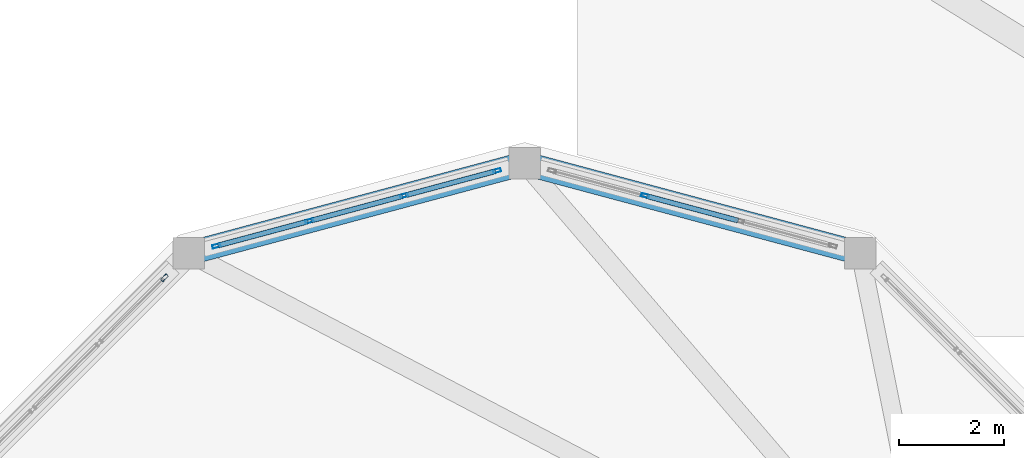
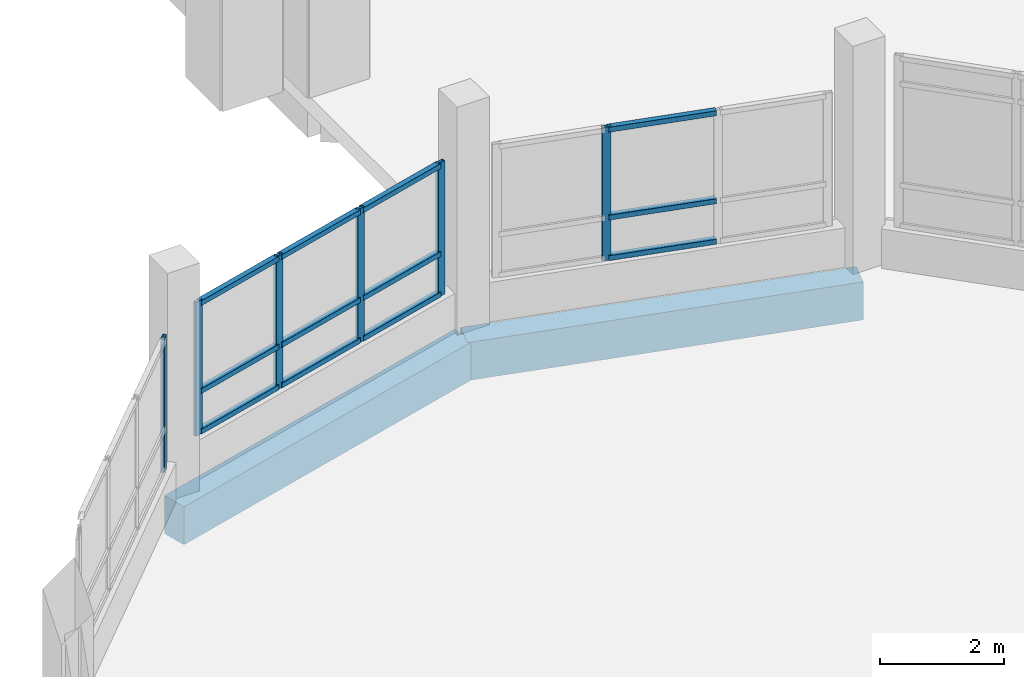
# One storey, part 42 of 129: 18 members, 2 beams, 3 elements without a shape of their own.
"""IFC4 building model written with IfcOpenShell, lengths in metres."""

from ifc_helpers import new_model, si_unit, direction, frame, origin, origin_2d, place, context, subcontext, project, spatial, rectangle, hollow_rectangle, extrude, material, layer, layer_set, material_profile, profile_set, type_object, element, aggregate, save


model = new_model("IFC4")

# Units and contexts
model_context = context("Model", 3, precision=1e-05, world=origin(), true_north=direction((0.0, 1.0)))
body_context = subcontext(model_context, "Body", "Model", "MODEL_VIEW")
ifc_project = project(units=[si_unit("LENGTHUNIT", "METRE"), si_unit("AREAUNIT", "SQUARE_METRE"), si_unit("VOLUMEUNIT", "CUBIC_METRE"), si_unit("PLANEANGLEUNIT", "RADIAN"), si_unit("MASSUNIT", "GRAM", prefix="KILO")], contexts=[model_context])

# Site, building, storey
site_placement = place(None, origin())
site = spatial("IfcSite", under=ifc_project, at=site_placement, CompositionType="ELEMENT")
building_placement = place(site_placement, origin())
building = spatial("IfcBuilding", under=site, at=building_placement, Name="Vespera Passage Community Centre", CompositionType="ELEMENT")
storey_placement = place(building_placement, origin())
storey = spatial("IfcBuildingStorey", under=building, at=storey_placement, Name="L00", CompositionType="ELEMENT", Elevation=0.0)

# Beams
ifc_material_1 = material(Name="Concrete f'c 35 MPa", Category="concrete")
ifc_material_profile_1 = material_profile(ifc_material_1, rectangle(XDim=0.449951171875, YDim=0.75, at=origin_2d()), Name="RC450X750")
ifc_profile_set_1 = profile_set([ifc_material_profile_1], Name="Concrete f'c 35 MPa")
beam_type = type_object("IfcBeamType", Name="BM-SP-450X750E", PredefinedType="SPANDREL", material=ifc_profile_set_1)
for number, where, z_axis, x_axis, name in (
    (1, (127.39990234375, 44.585205078125, -0.655029296875), (-0.965926011729, 0.258818353032, 0.0), (-0.258818353032, -0.965926011729, 0.0), "V3A L00 Cafe Spandrel 1"),
    (2, (121.0, 46.300048828125, -0.655029296875), (-0.965926011729, -0.258818353032, 0.0), (0.258818353032, -0.965926011729, 0.0), "V3A L00 Cafe Spandrel 2"),
):
    element("IfcBeam", number, at=place(storey_placement, frame(where, z_axis=z_axis, x_axis=x_axis)), inside=storey, type_object=beam_type, Name=name, PredefinedType="SPANDREL", context=body_context, shape_type="SweptSolid", body=[
        extrude(rectangle(XDim=0.449951171875, YDim=0.75, at=origin_2d()), origin(), (0.0, 0.0, 1.0), 6.625732421875),
    ])

# Curtain wall, member
ifc_material_2 = material(Name="Anodized aluminium 6063-T6", Category="aluminium")
ifc_layer_1 = layer(ifc_material_2, 0.159912109375)
ifc_layer_set_1 = layer_set([ifc_layer_1], Name="Anodized aluminium 6063-T6")
curtain_wall_type_1 = type_object("IfcCurtainWallType", Name="CW-112E", PredefinedType="NOTDEFINED", material=ifc_layer_set_1)
curtain_wall_1_placement = place(storey_placement, origin())
curtain_wall_1 = element("IfcCurtainWall", 3, at=curtain_wall_1_placement, inside=storey, type_object=curtain_wall_type_1, Name="Passage Espresso Cafe Ribbon Curtain Wall 3", PredefinedType="NOTDEFINED")
ifc_material_3 = material(Name="Anodized aluminium 6063-T6", Category="aluminium")
ifc_material_profile_2 = material_profile(ifc_material_3, hollow_rectangle(XDim=0.06494140625, YDim=0.14990234375, WallThickness=0.00390625, InnerFilletRadius=0.001953125, OuterFilletRadius=0.00390625, at=origin_2d()), Name="ALU150X65X4")
ifc_profile_set_2 = profile_set([ifc_material_profile_2], Name="Anodized aluminium 6063-T6")
member_type_1 = type_object("IfcMemberType", Name="MB-CWM-150E", PredefinedType="MULLION", material=ifc_profile_set_2)
member_1_placement = place(storey_placement, frame((123.2978515625, 45.684326171875, 0.780029296875), z_axis=(0.0, 0.0, 1.0), x_axis=(0.258807433834, 0.965928937444, 0.0)))
member_1 = element("IfcMember", 4, at=member_1_placement, type_object=member_type_1, Name="CW-112E mullion 2", PredefinedType="MULLION", context=body_context, shape_type="SweptSolid", body=[
    extrude(hollow_rectangle(XDim=0.06494140625, YDim=0.14990234375, WallThickness=0.00390625, InnerFilletRadius=0.001953125, OuterFilletRadius=0.00390625, at=origin_2d()), origin(), (0.0, 0.0, 1.0), 2.635009765625),
])

# Curtain wall, members
curtain_wall_2_placement = place(storey_placement, origin())
curtain_wall_2 = element("IfcCurtainWall", 5, at=curtain_wall_2_placement, inside=storey, type_object=curtain_wall_type_1, Name="Passage Espresso Cafe Ribbon Curtain Wall 4", PredefinedType="NOTDEFINED")
member_2_placement = place(storey_placement, frame((115.12451171875, 44.725830078125, 0.780029296875), z_axis=(0.0, 0.0, 1.0), x_axis=(-0.258807433834, 0.965928937444, 0.0)))
member_2 = element("IfcMember", 6, at=member_2_placement, type_object=member_type_1, Name="CW-112E mullion 1", PredefinedType="MULLION", context=body_context, shape_type="SweptSolid", body=[
    extrude(hollow_rectangle(XDim=0.06494140625, YDim=0.14990234375, WallThickness=0.00390625, InnerFilletRadius=0.001953125, OuterFilletRadius=0.00390625, at=origin_2d()), origin(), (0.0, 0.0, 1.0), 2.635009765625),
])
member_3_placement = place(storey_placement, frame((116.897705078125, 45.20068359375, 0.780029296875), z_axis=(0.0, 0.0, 1.0), x_axis=(-0.258807433834, 0.965928937444, 0.0)))
member_3 = element("IfcMember", 7, at=member_3_placement, type_object=member_type_1, Name="CW-112E mullion 2", PredefinedType="MULLION", context=body_context, shape_type="SweptSolid", body=[
    extrude(hollow_rectangle(XDim=0.06494140625, YDim=0.14990234375, WallThickness=0.00390625, InnerFilletRadius=0.001953125, OuterFilletRadius=0.00390625, at=origin_2d()), origin(), (0.0, 0.0, 1.0), 2.635009765625),
])
member_4_placement = place(storey_placement, frame((118.7021484375, 45.684326171875, 0.780029296875), z_axis=(0.0, 0.0, 1.0), x_axis=(-0.258807433834, 0.965928937444, 0.0)))
member_4 = element("IfcMember", 8, at=member_4_placement, type_object=member_type_1, Name="CW-112E mullion 3", PredefinedType="MULLION", context=body_context, shape_type="SweptSolid", body=[
    extrude(hollow_rectangle(XDim=0.06494140625, YDim=0.14990234375, WallThickness=0.00390625, InnerFilletRadius=0.001953125, OuterFilletRadius=0.00390625, at=origin_2d()), origin(), (0.0, 0.0, 1.0), 2.635009765625),
])
member_5_placement = place(storey_placement, frame((120.475341796875, 46.159423828125, 0.780029296875), z_axis=(0.0, 0.0, 1.0), x_axis=(-0.258807433834, 0.965928937444, 0.0)))
member_5 = element("IfcMember", 9, at=member_5_placement, type_object=member_type_1, Name="CW-112E mullion 4", PredefinedType="MULLION", context=body_context, shape_type="SweptSolid", body=[
    extrude(hollow_rectangle(XDim=0.06494140625, YDim=0.14990234375, WallThickness=0.00390625, InnerFilletRadius=0.001953125, OuterFilletRadius=0.00390625, at=origin_2d()), origin(), (0.0, 0.0, 1.0), 2.635009765625),
])

# Curtain wall, member
ifc_material_4 = material(Name="Anodized aluminium 6063-T6", Category="aluminium")
ifc_layer_2 = layer(ifc_material_4, 0.159912109375)
ifc_layer_set_2 = layer_set([ifc_layer_2], Name="Anodized aluminium 6063-T6")
curtain_wall_type_2 = type_object("IfcCurtainWallType", Name="CW-113E", PredefinedType="NOTDEFINED", material=ifc_layer_set_2)
curtain_wall_3_placement = place(storey_placement, origin())
curtain_wall_3 = element("IfcCurtainWall", 10, at=curtain_wall_3_placement, inside=storey, type_object=curtain_wall_type_2, Name="Passage Espresso Cafe Ribbon Curtain Wall 5", PredefinedType="NOTDEFINED")
member_6_placement = place(storey_placement, frame((114.135498046875, 44.12060546875, 0.780029296875), z_axis=(0.0, 0.0, 1.0), x_axis=(-0.707106781187, 0.707106781187, 0.0)))
member_6 = element("IfcMember", 11, at=member_6_placement, type_object=member_type_1, Name="CW-113E mullion 4", PredefinedType="MULLION", context=body_context, shape_type="SweptSolid", body=[
    extrude(hollow_rectangle(XDim=0.06494140625, YDim=0.14990234375, WallThickness=0.00390625, InnerFilletRadius=0.001953125, OuterFilletRadius=0.00390625, at=origin_2d()), origin(), (0.0, 0.0, 1.0), 2.635009765625),
])
aggregate(curtain_wall_3, [member_6])

# Member
ifc_material_5 = material(Name="Anodized aluminium 6063-T6", Category="aluminium")
ifc_material_profile_3 = material_profile(ifc_material_5, hollow_rectangle(XDim=0.10009765625, YDim=0.10009765625, WallThickness=0.00390625, InnerFilletRadius=0.001953125, OuterFilletRadius=0.00390625, at=origin_2d()), Name="ALU100X100X4")
ifc_profile_set_3 = profile_set([ifc_material_profile_3], Name="Anodized aluminium 6063-T6")
member_type_2 = type_object("IfcMemberType", Name="MB-CWT-100E", PredefinedType="USERDEFINED", material=ifc_profile_set_3)
member_7_placement = place(storey_placement, frame((123.3291015625, 45.67578125, 0.830078125), z_axis=(0.965944425699, -0.258749621182, 0.0), x_axis=(0.258749621182, 0.965944425699, 0.0)))
member_7 = element("IfcMember", 12, at=member_7_placement, type_object=member_type_2, Name="CW-112E transom 2.1", ObjectType="TRANSOM", PredefinedType="USERDEFINED", context=body_context, shape_type="SweptSolid", body=[
    extrude(hollow_rectangle(XDim=0.10009765625, YDim=0.10009765625, WallThickness=0.00390625, InnerFilletRadius=0.001953125, OuterFilletRadius=0.00390625, at=origin_2d()), origin(), (0.0, 0.0, 1.0), 1.80322265625),
])

member_8_placement = place(storey_placement, frame((123.3291015625, 45.67578125, 1.6298828125), z_axis=(0.965944425699, -0.258749621182, 0.0), x_axis=(0.258749621182, 0.965944425699, 0.0)))
member_8 = element("IfcMember", 13, at=member_8_placement, type_object=member_type_2, Name="CW-112E transom 2.2", ObjectType="TRANSOM", PredefinedType="USERDEFINED", context=body_context, shape_type="SweptSolid", body=[
    extrude(hollow_rectangle(XDim=0.10009765625, YDim=0.10009765625, WallThickness=0.00390625, InnerFilletRadius=0.001953125, OuterFilletRadius=0.00390625, at=origin_2d()), origin(), (0.0, 0.0, 1.0), 1.80322265625),
])

member_9_placement = place(storey_placement, frame((123.3291015625, 45.67578125, 3.364990234375), z_axis=(0.965944425699, -0.258749621182, 0.0), x_axis=(0.258749621182, 0.965944425699, 0.0)))
member_9 = element("IfcMember", 14, at=member_9_placement, type_object=member_type_2, Name="CW-112E transom 2.3", ObjectType="TRANSOM", PredefinedType="USERDEFINED", context=body_context, shape_type="SweptSolid", body=[
    extrude(hollow_rectangle(XDim=0.10009765625, YDim=0.10009765625, WallThickness=0.00390625, InnerFilletRadius=0.001953125, OuterFilletRadius=0.00390625, at=origin_2d()), origin(), (0.0, 0.0, 1.0), 1.80322265625),
])

aggregate(curtain_wall_1, [member_1, member_7, member_8, member_9])

member_10_placement = place(storey_placement, frame((115.156005859375, 44.734130859375, 0.830078125), z_axis=(0.965934513164, 0.258786623067, 0.0), x_axis=(-0.258786623067, 0.965934513164, 0.0)))
member_10 = element("IfcMember", 15, at=member_10_placement, type_object=member_type_2, Name="CW-112E transom 1.1", ObjectType="TRANSOM", PredefinedType="USERDEFINED", context=body_context, shape_type="SweptSolid", body=[
    extrude(hollow_rectangle(XDim=0.10009765625, YDim=0.10009765625, WallThickness=0.00390625, InnerFilletRadius=0.001953125, OuterFilletRadius=0.00390625, at=origin_2d()), origin(), (0.0, 0.0, 1.0), 1.770751953125),
])

member_11_placement = place(storey_placement, frame((115.156005859375, 44.734130859375, 1.6298828125), z_axis=(0.965934513164, 0.258786623067, 0.0), x_axis=(-0.258786623067, 0.965934513164, 0.0)))
member_11 = element("IfcMember", 16, at=member_11_placement, type_object=member_type_2, Name="CW-112E transom 1.2", ObjectType="TRANSOM", PredefinedType="USERDEFINED", context=body_context, shape_type="SweptSolid", body=[
    extrude(hollow_rectangle(XDim=0.10009765625, YDim=0.10009765625, WallThickness=0.00390625, InnerFilletRadius=0.001953125, OuterFilletRadius=0.00390625, at=origin_2d()), origin(), (0.0, 0.0, 1.0), 1.770751953125),
])

member_12_placement = place(storey_placement, frame((115.156005859375, 44.734130859375, 3.364990234375), z_axis=(0.965934513164, 0.258786623067, 0.0), x_axis=(-0.258786623067, 0.965934513164, 0.0)))
member_12 = element("IfcMember", 17, at=member_12_placement, type_object=member_type_2, Name="CW-112E transom 1.3", ObjectType="TRANSOM", PredefinedType="USERDEFINED", context=body_context, shape_type="SweptSolid", body=[
    extrude(hollow_rectangle(XDim=0.10009765625, YDim=0.10009765625, WallThickness=0.00390625, InnerFilletRadius=0.001953125, OuterFilletRadius=0.00390625, at=origin_2d()), origin(), (0.0, 0.0, 1.0), 1.770751953125),
])

member_13_placement = place(storey_placement, frame((116.92919921875, 45.209228515625, 0.830078125), z_axis=(0.965944425699, 0.258749621182, 0.0), x_axis=(-0.258749621182, 0.965944425699, 0.0)))
member_13 = element("IfcMember", 18, at=member_13_placement, type_object=member_type_2, Name="CW-112E transom 2.1", ObjectType="TRANSOM", PredefinedType="USERDEFINED", context=body_context, shape_type="SweptSolid", body=[
    extrude(hollow_rectangle(XDim=0.10009765625, YDim=0.10009765625, WallThickness=0.00390625, InnerFilletRadius=0.001953125, OuterFilletRadius=0.00390625, at=origin_2d()), origin(), (0.0, 0.0, 1.0), 1.80322265625),
])

member_14_placement = place(storey_placement, frame((116.92919921875, 45.209228515625, 1.6298828125), z_axis=(0.965944425699, 0.258749621182, 0.0), x_axis=(-0.258749621182, 0.965944425699, 0.0)))
member_14 = element("IfcMember", 19, at=member_14_placement, type_object=member_type_2, Name="CW-112E transom 2.2", ObjectType="TRANSOM", PredefinedType="USERDEFINED", context=body_context, shape_type="SweptSolid", body=[
    extrude(hollow_rectangle(XDim=0.10009765625, YDim=0.10009765625, WallThickness=0.00390625, InnerFilletRadius=0.001953125, OuterFilletRadius=0.00390625, at=origin_2d()), origin(), (0.0, 0.0, 1.0), 1.80322265625),
])

member_15_placement = place(storey_placement, frame((116.92919921875, 45.209228515625, 3.364990234375), z_axis=(0.965944425699, 0.258749621182, 0.0), x_axis=(-0.258749621182, 0.965944425699, 0.0)))
member_15 = element("IfcMember", 20, at=member_15_placement, type_object=member_type_2, Name="CW-112E transom 2.3", ObjectType="TRANSOM", PredefinedType="USERDEFINED", context=body_context, shape_type="SweptSolid", body=[
    extrude(hollow_rectangle(XDim=0.10009765625, YDim=0.10009765625, WallThickness=0.00390625, InnerFilletRadius=0.001953125, OuterFilletRadius=0.00390625, at=origin_2d()), origin(), (0.0, 0.0, 1.0), 1.80322265625),
])

member_16_placement = place(storey_placement, frame((118.733642578125, 45.692626953125, 0.830078125), z_axis=(0.965934513164, 0.258786623067, 0.0), x_axis=(-0.258786623067, 0.965934513164, 0.0)))
member_16 = element("IfcMember", 21, at=member_16_placement, type_object=member_type_2, Name="CW-112E transom 3.1", ObjectType="TRANSOM", PredefinedType="USERDEFINED", context=body_context, shape_type="SweptSolid", body=[
    extrude(hollow_rectangle(XDim=0.10009765625, YDim=0.10009765625, WallThickness=0.00390625, InnerFilletRadius=0.001953125, OuterFilletRadius=0.00390625, at=origin_2d()), origin(), (0.0, 0.0, 1.0), 1.770751953125),
])

member_17_placement = place(storey_placement, frame((118.733642578125, 45.692626953125, 1.6298828125), z_axis=(0.965934513164, 0.258786623067, 0.0), x_axis=(-0.258786623067, 0.965934513164, 0.0)))
member_17 = element("IfcMember", 22, at=member_17_placement, type_object=member_type_2, Name="CW-112E transom 3.2", ObjectType="TRANSOM", PredefinedType="USERDEFINED", context=body_context, shape_type="SweptSolid", body=[
    extrude(hollow_rectangle(XDim=0.10009765625, YDim=0.10009765625, WallThickness=0.00390625, InnerFilletRadius=0.001953125, OuterFilletRadius=0.00390625, at=origin_2d()), origin(), (0.0, 0.0, 1.0), 1.770751953125),
])

member_18_placement = place(storey_placement, frame((118.733642578125, 45.692626953125, 3.364990234375), z_axis=(0.965934513164, 0.258786623067, 0.0), x_axis=(-0.258786623067, 0.965934513164, 0.0)))
member_18 = element("IfcMember", 23, at=member_18_placement, type_object=member_type_2, Name="CW-112E transom 3.3", ObjectType="TRANSOM", PredefinedType="USERDEFINED", context=body_context, shape_type="SweptSolid", body=[
    extrude(hollow_rectangle(XDim=0.10009765625, YDim=0.10009765625, WallThickness=0.00390625, InnerFilletRadius=0.001953125, OuterFilletRadius=0.00390625, at=origin_2d()), origin(), (0.0, 0.0, 1.0), 1.770751953125),
])

aggregate(curtain_wall_2, [member_2, member_3, member_4, member_5, member_10, member_11, member_12, member_13, member_14, member_15, member_16, member_17, member_18])

save(model, "model.ifc")
